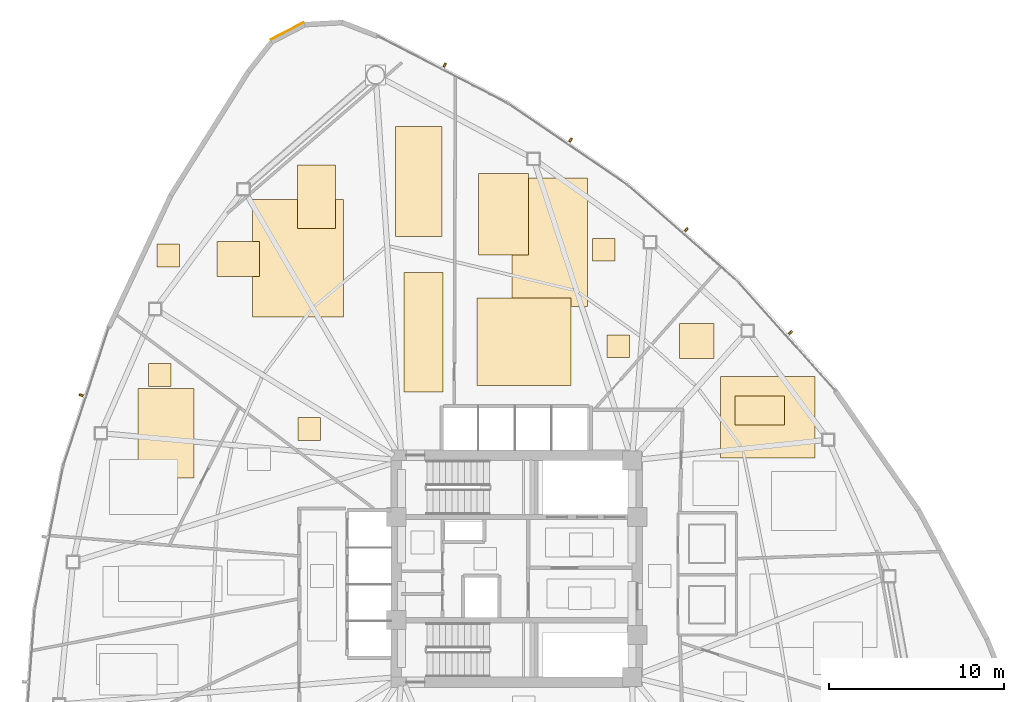
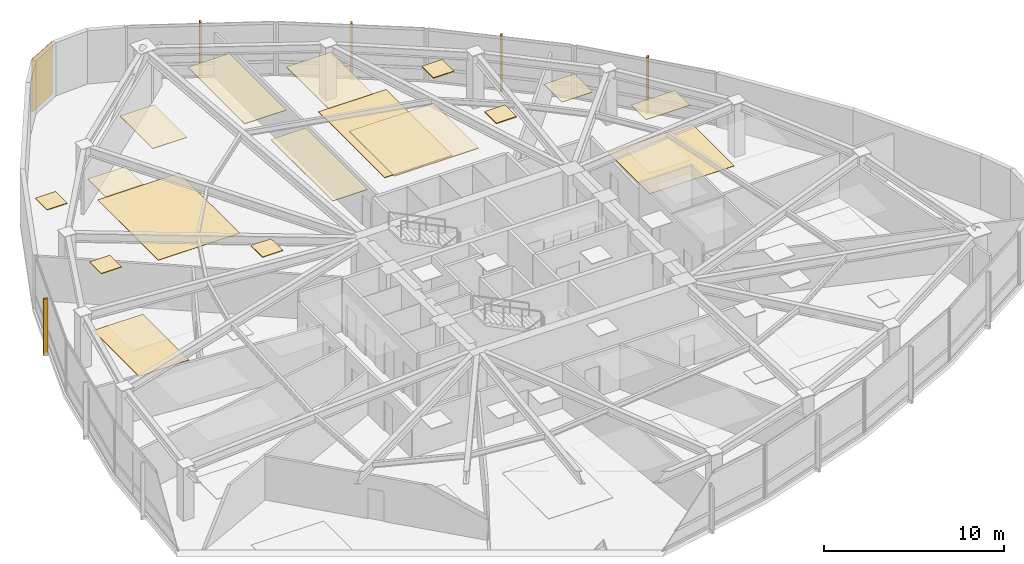
# One storey, part 17 of 17: 18 coverings, 5 shading devices.
"""IFC4 building model written with IfcOpenShell, lengths in metres."""

import ifcopenshell
import ifcopenshell.guid

model = None  # the IFC model being written
_history = None  # IfcOwnerHistory: only IFC2X3 demands one
_inside = {}  # id of a spatial element -> (the spatial element, [elements in it])
_under = {}  # id of a project, library or spatial element -> (it, [spatial elements below it])
_declared = {}  # id of a project -> (the project, [libraries it declares])
_typed = {}  # id of a type object -> (the type object, [elements of that type])
_made_of = {}  # id of a material, layer set ... -> (it, [elements and type objects made of it])


def new_model(schema):
    """Start an empty IFC model of exactly this schema.

    Asked for "IFC4X3", IfcOpenShell would pick the latest addendum, in which some entities
    have other attributes; the version numbers below select the first issue.
    IFC2X3 requires an IfcOwnerHistory on every rooted entity: one is made here for all.
    """
    global model, _history
    if schema == "IFC4X3":
        model = ifcopenshell.file(schema_version=(4, 3, 0, 0))
    else:
        model = ifcopenshell.file(schema=schema)
    _inside.clear()
    _under.clear()
    _declared.clear()
    _typed.clear()
    _made_of.clear()
    _history = None
    if model.schema == "IFC2X3":
        org = make("IfcOrganization", Name="unknown")
        user = make(
            "IfcPersonAndOrganization",
            ThePerson=make("IfcPerson", FamilyName="unknown"),
            TheOrganization=org,
        )
        app = make(
            "IfcApplication",
            ApplicationDeveloper=org,
            Version="unknown",
            ApplicationFullName="unknown",
            ApplicationIdentifier="unknown",
        )
        _history = make(
            "IfcOwnerHistory",
            OwningUser=user,
            OwningApplication=app,
            ChangeAction="ADDED",
            CreationDate=0,
        )
    return model


def make(cls, **values):
    """One entity of the class cls with the attributes given. An attribute that is None is left unset."""
    return model.create_entity(
        cls, **{name: value for name, value in values.items() if value is not None}
    )


def rooted(cls, **values):
    """An entity with a GlobalId (a new one), such as an element, a storey or a relation."""
    return make(cls, GlobalId=ifcopenshell.guid.new(), OwnerHistory=_history, **values)


def si_unit(unit_type, name, prefix=None):
    """IfcSIUnit, for example si_unit("LENGTHUNIT", "METRE", prefix="MILLI")."""
    return make("IfcSIUnit", UnitType=unit_type, Prefix=prefix, Name=name)


def assignment(units):
    """IfcUnitAssignment: the units of a project."""
    return None if units is None else make("IfcUnitAssignment", Units=units)


def point(xyz):
    """IfcCartesianPoint."""
    return None if xyz is None else make("IfcCartesianPoint", Coordinates=xyz)


def direction(xyz):
    """IfcDirection."""
    return None if xyz is None else make("IfcDirection", DirectionRatios=xyz)


def frame(location, z_axis=None, x_axis=None):
    """IfcAxis2Placement3D, a coordinate frame: its origin and axes. An axis left out is left unset."""
    return make(
        "IfcAxis2Placement3D",
        Location=point(location),
        Axis=direction(z_axis),
        RefDirection=direction(x_axis),
    )


def frame_2d(location, x_axis=None):
    """IfcAxis2Placement2D, a coordinate frame in the plane: its origin and x axis."""
    return make(
        "IfcAxis2Placement2D", Location=point(location), RefDirection=direction(x_axis)
    )


def origin():
    """The frame at (0, 0, 0) with its axes left unset."""
    return frame((0.0, 0.0, 0.0))


def origin_2d():
    """The frame at (0, 0) in the plane with its x axis left unset."""
    return frame_2d((0.0, 0.0))


def place(relative_to, where):
    """IfcLocalPlacement: puts the frame where relative to a parent placement (None: the world)."""
    return make(
        "IfcLocalPlacement", PlacementRelTo=relative_to, RelativePlacement=where
    )


def context(
    kind, dimensions, precision=None, world=None, true_north=None, identifier=None
):
    """IfcGeometricRepresentationContext, for example the 3D "Model" context."""
    return make(
        "IfcGeometricRepresentationContext",
        ContextIdentifier=identifier,
        ContextType=kind,
        CoordinateSpaceDimension=dimensions,
        Precision=precision,
        WorldCoordinateSystem=world,
        TrueNorth=true_north,
    )


def subcontext(parent, identifier, kind, view, scale=None):
    """IfcGeometricRepresentationSubContext, for example "Body" below "Model"."""
    return make(
        "IfcGeometricRepresentationSubContext",
        ContextIdentifier=identifier,
        ContextType=kind,
        ParentContext=parent,
        TargetScale=scale,
        TargetView=view,
    )


def project(units=None, contexts=None):
    """IfcProject with its units and contexts."""
    return rooted(
        "IfcProject",
        Name="project",
        RepresentationContexts=contexts,
        UnitsInContext=assignment(units),
    )


def spatial(cls, under=None, at=None, **own):
    """A site, building, storey or space (cls), placed at a placement, below another one or the project."""
    s = rooted(cls, ObjectPlacement=at, **own)
    if under is not None:
        _under.setdefault(under.id(), (under, []))[1].append(s)
    return s


def polyline(points):
    """IfcPolyline through the points."""
    return make("IfcPolyline", Points=[point(p) for p in points])


def profile(cls, at=None, kind="AREA", **sizes):
    """A parametric profile (cls). Its sizes go by their IFC names, for example OverallWidth=200.0."""
    return make(cls, ProfileType=kind, Position=at, **sizes)


def rectangle(**sizes):
    """IfcRectangleProfileDef."""
    return profile("IfcRectangleProfileDef", **sizes)


def outline(outer, holes=None, kind="AREA"):
    """IfcArbitraryClosedProfileDef: a profile drawn as a closed curve; with holes, ...WithVoids."""
    if holes is None:
        return make("IfcArbitraryClosedProfileDef", ProfileType=kind, OuterCurve=outer)
    return make(
        "IfcArbitraryProfileDefWithVoids",
        ProfileType=kind,
        OuterCurve=outer,
        InnerCurves=holes,
    )


def extrude(swept, where, along, depth):
    """IfcExtrudedAreaSolid: the profile swept, set in the frame where, extruded along a direction by depth."""
    return make(
        "IfcExtrudedAreaSolid",
        SweptArea=swept,
        Position=where,
        ExtrudedDirection=direction(along),
        Depth=depth,
    )


def shape(context_of_items, identifier, shape_type, items):
    """IfcShapeRepresentation: the items that make up one representation, for example the "Body"."""
    return make(
        "IfcShapeRepresentation",
        ContextOfItems=context_of_items,
        RepresentationIdentifier=identifier,
        RepresentationType=shape_type,
        Items=items,
    )


def source(mapping_origin, context_of_items, identifier, shape_type, items):
    """IfcRepresentationMap: a shape defined once, which mapped items show again and again."""
    return make(
        "IfcRepresentationMap",
        MappingOrigin=mapping_origin,
        MappedRepresentation=shape(context_of_items, identifier, shape_type, items),
    )


def transform(
    local_origin,
    x_axis=None,
    y_axis=None,
    z_axis=None,
    scale=None,
    scale2=None,
    scale3=None,
    uniform=True,
):
    """IfcCartesianTransformationOperator3D, or its non-uniform kind. x_axis, y_axis, z_axis: its Axis1, 2, 3."""
    if uniform:
        return make(
            "IfcCartesianTransformationOperator3D",
            Axis1=direction(x_axis),
            Axis2=direction(y_axis),
            LocalOrigin=point(local_origin),
            Scale=scale,
            Axis3=direction(z_axis),
        )
    return make(
        "IfcCartesianTransformationOperator3DnonUniform",
        Axis1=direction(x_axis),
        Axis2=direction(y_axis),
        LocalOrigin=point(local_origin),
        Scale=scale,
        Axis3=direction(z_axis),
        Scale2=scale2,
        Scale3=scale3,
    )


def mapped(mapping_source, mapping_target):
    """IfcMappedItem: shows the shape of a source again, moved by a transform."""
    return make(
        "IfcMappedItem", MappingSource=mapping_source, MappingTarget=mapping_target
    )


def material(Name=None, Category=None):
    """IfcMaterial."""
    return make("IfcMaterial", Name=Name, Category=Category)


def layer(
    of_material, thickness, ventilated=None, Name=None, Category=None, Priority=None
):
    """IfcMaterialLayer: one layer of a wall or slab, of a material (None: an air gap)."""
    return make(
        "IfcMaterialLayer",
        Material=of_material,
        LayerThickness=thickness,
        IsVentilated=ventilated,
        Name=Name,
        Category=Category,
        Priority=Priority,
    )


def layer_set(layers, Name=None):
    """IfcMaterialLayerSet."""
    return make("IfcMaterialLayerSet", MaterialLayers=layers, LayerSetName=Name)


def made_of(thing, what):
    """Note that an element or type object is made of a material, layer set ...; save() writes the relation."""
    if what is not None:
        _made_of.setdefault(what.id(), (what, []))[1].append(thing)
    return thing


def type_object(cls, material=None, **own):
    """A type object (cls), such as IfcWallType, which elements share."""
    return made_of(rooted(cls, **own), material)


def type_shapes(of_type, sources):
    """Give a type object the sources (RepresentationMaps) that its elements show as mapped items."""
    of_type.RepresentationMaps = sources


def element(
    cls,
    number,
    at=None,
    inside=None,
    cuts=None,
    type_object=None,
    material=None,
    context=None,
    identifier="Body",
    shape_type=None,
    held_by="IfcProductDefinitionShape",
    body=None,
    shapes=None,
    **own,
):
    """One element of the class cls, such as IfcWall. Its Tag is "e" and its number.

    at: its placement. inside: the storey or other place that contains it. cuts: it is an
    opening in that element (IfcRelVoidsElement). A single representation is given by context,
    identifier, shape_type and body (its items); several are given by shapes. held_by: the class
    of the entity that holds the representations. save() writes the other relations.
    """
    e = rooted(cls, Tag="e%d" % number, ObjectPlacement=at, **own)
    if body is not None:
        shapes = [shape(context, identifier, shape_type, body)]
    if shapes is not None:
        e.Representation = make(held_by, Representations=shapes)
    if inside is not None:
        _inside.setdefault(inside.id(), (inside, []))[1].append(e)
    if cuts is not None:
        rooted(
            "IfcRelVoidsElement", RelatingBuildingElement=cuts, RelatedOpeningElement=e
        )
    if type_object is not None:
        _typed.setdefault(type_object.id(), (type_object, []))[1].append(e)
    return made_of(e, material)


def aggregate(whole, parts):
    """IfcRelAggregates: a whole, such as a stair, and the parts it consists of."""
    return rooted("IfcRelAggregates", RelatingObject=whole, RelatedObjects=parts)


def save(model, path):
    """Write the relations noted so far, then the file.

    IfcRelAggregates (storeys below a building ...), IfcRelContainedInSpatialStructure (elements
    in a storey), IfcRelDefinesByType, IfcRelAssociatesMaterial and IfcRelDeclares: one each for
    every whole, place, type object, material and project.
    """
    for whole, parts in _under.values():
        aggregate(whole, parts)
    for where, things in _inside.values():
        rooted(
            "IfcRelContainedInSpatialStructure",
            RelatedElements=things,
            RelatingStructure=where,
        )
    for kind, things in _typed.values():
        rooted("IfcRelDefinesByType", RelatedObjects=things, RelatingType=kind)
    for what, things in _made_of.values():
        rooted("IfcRelAssociatesMaterial", RelatedObjects=things, RelatingMaterial=what)
    for by, libraries in _declared.values():
        rooted("IfcRelDeclares", RelatingContext=by, RelatedDefinitions=libraries)
    model.write(path)


model = new_model("IFC4")

# Units and contexts
model_context = context("Model", 3, precision=1e-05, world=origin(), true_north=direction((0.0, 1.0)))
body_context = subcontext(model_context, "Body", "Model", "MODEL_VIEW")
ifc_project = project(units=[si_unit("LENGTHUNIT", "METRE"), si_unit("AREAUNIT", "SQUARE_METRE"), si_unit("VOLUMEUNIT", "CUBIC_METRE"), si_unit("PLANEANGLEUNIT", "RADIAN"), si_unit("MASSUNIT", "GRAM", prefix="KILO")], contexts=[model_context])

# Site, building, storey
site_placement = place(None, origin())
site = spatial("IfcSite", under=ifc_project, at=site_placement, CompositionType="ELEMENT")
building_placement = place(site_placement, origin())
building = spatial("IfcBuilding", under=site, at=building_placement, Name="Tavelor Broadcast Tower", CompositionType="ELEMENT")
storey_placement = place(building_placement, frame((0.0, 0.0, 90.0)))
storey = spatial("IfcBuildingStorey", under=building, at=storey_placement, Name="L21", CompositionType="ELEMENT", Elevation=90.0)

# Coverings
ifc_material_1 = material(Name="Copper-Bronze Anodized Aluminium", Category="aluminium")
ifc_layer_1 = layer(ifc_material_1, 0.050048828125)
ifc_layer_set_1 = layer_set([ifc_layer_1], Name="Copper-Bronze Anodized Aluminium")
covering_type_1 = type_object("IfcCoveringType", Name="Champagne-Bronze Corner Pier Metal Cladding 50 mm", PredefinedType="CLADDING", material=ifc_layer_set_1)
covering_1_placement = place(storey_placement, frame((36.8603515625, 75.79248046875, 0.02001953125), z_axis=(0.0, 0.0, 1.0), x_axis=(-0.887413447059, -0.460974374535, 0.0)))
element("IfcCovering", 1, at=covering_1_placement, inside=storey, type_object=covering_type_1, Name="L21 Champagne-Bronze Corner Cladding 03", PredefinedType="CLADDING", context=body_context, shape_type="SweptSolid", body=[
    extrude(rectangle(XDim=2.101806640625, YDim=0.050048828125, at=origin_2d()), origin(), (0.0, 0.0, 1.0), 3.56005859375),
])
ifc_material_2 = material(Name="Acoustic Nylon Carpet Tile")
ifc_layer_2 = layer(ifc_material_2, 0.02001953125)
ifc_layer_set_2 = layer_set([ifc_layer_2], Name="Acoustic Nylon Carpet Tile")
covering_type_2 = type_object("IfcCoveringType", Name="Heavy-Duty Acoustic Broadcast Carpet Tile 20 mm", PredefinedType="FLOORING", material=ifc_layer_set_2)
covering_2_placement = place(storey_placement, origin())
element("IfcCovering", 2, at=covering_2_placement, inside=storey, type_object=covering_type_2, Name="L21 Broadcast Floor Finish 0317", PredefinedType="FLOORING", context=body_context, shape_type="SweptSolid", body=[
    extrude(outline(polyline([(28.318115234375, 50.202880859375), (31.50537109375, 50.202880859375), (31.50537109375, 55.319091796875), (28.318115234375, 55.319091796875), (28.318115234375, 50.202880859375)])), origin(), (0.0, 0.0, 1.0), 0.02001953125),
])
covering_3_placement = place(storey_placement, origin())
element("IfcCovering", 3, at=covering_3_placement, inside=storey, type_object=covering_type_2, Name="L21 Broadcast Floor Finish 0318", PredefinedType="FLOORING", context=body_context, shape_type="SweptSolid", body=[
    extrude(outline(polyline([(34.863525390625, 59.40625), (40.080322265625, 59.40625), (40.080322265625, 66.133056640625), (34.863525390625, 66.133056640625), (34.863525390625, 59.40625)])), origin(), (0.0, 0.0, 1.0), 0.02001953125),
])
covering_4_placement = place(storey_placement, origin())
element("IfcCovering", 4, at=covering_4_placement, inside=storey, type_object=covering_type_2, Name="L21 Broadcast Floor Finish 0320", PredefinedType="FLOORING", context=body_context, shape_type="SweptSolid", body=[
    extrude(outline(polyline([(61.66259765625, 51.333740234375), (67.07763671875, 51.333740234375), (67.07763671875, 55.993896484375), (61.66259765625, 55.993896484375), (61.66259765625, 51.333740234375)])), origin(), (0.0, 0.0, 1.0), 0.02001953125),
])
ifc_material_3 = material(Name="Acoustic Hardwood Studio Flooring", Category="wood")
ifc_layer_3 = layer(ifc_material_3, 0.034912109375)
ifc_layer_set_3 = layer_set([ifc_layer_3], Name="Acoustic Hardwood Studio Flooring")
covering_type_3 = type_object("IfcCoveringType", Name="Isolated Studio Acoustic Elastomeric Floor Finish 35 mm", PredefinedType="FLOORING", material=ifc_layer_set_3)
covering_5_placement = place(storey_placement, origin())
element("IfcCovering", 5, at=covering_5_placement, inside=storey, type_object=covering_type_3, Name="L21 Broadcast Floor Finish 0319", PredefinedType="FLOORING", context=body_context, shape_type="SweptSolid", body=[
    extrude(outline(polyline([(49.728515625, 60.02685546875), (54.047607421875, 60.02685546875), (54.047607421875, 67.374267578125), (49.728515625, 67.374267578125), (49.728515625, 60.02685546875)])), origin(), (0.0, 0.0, 1.0), 0.034912109375),
])
ifc_material_4 = material(Name="Acoustic Perforated Timber Baffle", Category="wood")
ifc_layer_4 = layer(ifc_material_4, 0.054931640625)
ifc_layer_set_4 = layer_set([ifc_layer_4], Name="Acoustic Perforated Timber Baffle")
covering_type_4 = type_object("IfcCoveringType", Name="Micro-Perforated Acoustic Baffle Studio Ceiling 55 mm", PredefinedType="CEILING", material=ifc_layer_set_4)
covering_6_placement = place(storey_placement, frame((0.0, 0.0, 3.544921875)))
element("IfcCovering", 6, at=covering_6_placement, inside=storey, type_object=covering_type_4, Name="L21 Suspended Acoustic Ceiling 0911", PredefinedType="CEILING", context=body_context, shape_type="SweptSolid", body=[
    extrude(outline(polyline([(47.71630859375, 55.49609375), (53.118896484375, 55.49609375), (53.118896484375, 60.501708984375), (47.71630859375, 60.501708984375), (47.71630859375, 55.49609375)])), origin(), (0.0, 0.0, 1.0), 0.05517578125),
])
covering_7_placement = place(storey_placement, frame((0.0, 0.0, 3.544921875)))
element("IfcCovering", 7, at=covering_7_placement, inside=storey, type_object=covering_type_4, Name="L21 Suspended Acoustic Ceiling 0912", PredefinedType="CEILING", context=body_context, shape_type="SweptSolid", body=[
    extrude(outline(polyline([(47.81103515625, 62.962646484375), (50.664306640625, 62.962646484375), (50.664306640625, 67.62451171875), (47.81103515625, 67.62451171875), (47.81103515625, 62.962646484375)])), origin(), (0.0, 0.0, 1.0), 0.05517578125),
])
covering_8_placement = place(storey_placement, frame((0.0, 0.0, 3.544921875)))
element("IfcCovering", 8, at=covering_8_placement, inside=storey, type_object=covering_type_4, Name="L21 Suspended Acoustic Ceiling 0913", PredefinedType="CEILING", context=body_context, shape_type="SweptSolid", body=[
    extrude(outline(polyline([(55.159423828125, 57.079345703125), (56.45947265625, 57.079345703125), (56.45947265625, 58.37939453125), (55.159423828125, 58.37939453125), (55.159423828125, 57.079345703125)])), origin(), (0.0, 0.0, 1.0), 0.05517578125),
])
covering_9_placement = place(storey_placement, frame((0.0, 0.0, 3.544921875)))
element("IfcCovering", 9, at=covering_9_placement, inside=storey, type_object=covering_type_4, Name="L21 Suspended Acoustic Ceiling 0914", PredefinedType="CEILING", context=body_context, shape_type="SweptSolid", body=[
    extrude(outline(polyline([(54.34130859375, 62.618896484375), (55.641357421875, 62.618896484375), (55.641357421875, 63.918701171875), (54.34130859375, 63.918701171875), (54.34130859375, 62.618896484375)])), origin(), (0.0, 0.0, 1.0), 0.05517578125),
])
ifc_material_5 = material(Name="Acoustic Mineral Fibre Tile")
ifc_layer_5 = layer(ifc_material_5, 0.0400390625)
ifc_layer_set_5 = layer_set([ifc_layer_5], Name="Acoustic Mineral Fibre Tile")
covering_type_5 = type_object("IfcCoveringType", Name="Suspended Acoustic Mineral-Fibre Office Ceiling 40 mm", PredefinedType="CEILING", material=ifc_layer_set_5)
covering_10_placement = place(storey_placement, frame((0.0, 0.0, 3.56005859375)))
element("IfcCovering", 10, at=covering_10_placement, inside=storey, type_object=covering_type_5, Name="L21 Suspended Acoustic Ceiling 0903", PredefinedType="CEILING", context=body_context, shape_type="SweptSolid", body=[
    extrude(outline(polyline([(28.916015625, 55.443603515625), (30.216064453125, 55.443603515625), (30.216064453125, 56.74365234375), (28.916015625, 56.74365234375), (28.916015625, 55.443603515625)])), origin(), (0.0, 0.0, 1.0), 0.0400390625),
])
covering_11_placement = place(storey_placement, frame((0.0, 0.0, 3.56005859375)))
element("IfcCovering", 11, at=covering_11_placement, inside=storey, type_object=covering_type_5, Name="L21 Suspended Acoustic Ceiling 0905", PredefinedType="CEILING", context=body_context, shape_type="SweptSolid", body=[
    extrude(outline(polyline([(29.397705078125, 62.288818359375), (30.697509765625, 62.288818359375), (30.697509765625, 63.5888671875), (29.397705078125, 63.5888671875), (29.397705078125, 62.288818359375)])), origin(), (0.0, 0.0, 1.0), 0.0400390625),
])
covering_12_placement = place(storey_placement, frame((0.0, 0.0, 3.56005859375)))
element("IfcCovering", 12, at=covering_12_placement, inside=storey, type_object=covering_type_5, Name="L21 Suspended Acoustic Ceiling 0906", PredefinedType="CEILING", context=body_context, shape_type="SweptSolid", body=[
    extrude(outline(polyline([(32.840576171875, 61.742431640625), (35.267333984375, 61.742431640625), (35.267333984375, 63.742919921875), (32.840576171875, 63.742919921875), (32.840576171875, 61.742431640625)])), origin(), (0.0, 0.0, 1.0), 0.0400390625),
])
covering_13_placement = place(storey_placement, frame((0.0, 0.0, 3.56005859375)))
element("IfcCovering", 13, at=covering_13_placement, inside=storey, type_object=covering_type_5, Name="L21 Suspended Acoustic Ceiling 0907", PredefinedType="CEILING", context=body_context, shape_type="SweptSolid", body=[
    extrude(outline(polyline([(37.434326171875, 64.480224609375), (39.633056640625, 64.480224609375), (39.633056640625, 68.120361328125), (37.434326171875, 68.120361328125), (37.434326171875, 64.480224609375)])), origin(), (0.0, 0.0, 1.0), 0.0400390625),
])
covering_14_placement = place(storey_placement, frame((0.0, 0.0, 3.56005859375)))
element("IfcCovering", 14, at=covering_14_placement, inside=storey, type_object=covering_type_5, Name="L21 Suspended Acoustic Ceiling 0908", PredefinedType="CEILING", context=body_context, shape_type="SweptSolid", body=[
    extrude(outline(polyline([(43.05029296875, 64.011474609375), (45.720947265625, 64.011474609375), (45.720947265625, 70.32861328125), (43.05029296875, 70.32861328125), (43.05029296875, 64.011474609375)])), origin(), (0.0, 0.0, 1.0), 0.0400390625),
])
covering_15_placement = place(storey_placement, frame((0.0, 0.0, 3.56005859375)))
element("IfcCovering", 15, at=covering_15_placement, inside=storey, type_object=covering_type_5, Name="L21 Suspended Acoustic Ceiling 0909", PredefinedType="CEILING", context=body_context, shape_type="SweptSolid", body=[
    extrude(outline(polyline([(43.54248046875, 55.110107421875), (45.780517578125, 55.110107421875), (45.780517578125, 61.966796875), (43.54248046875, 61.966796875), (43.54248046875, 55.110107421875)])), origin(), (0.0, 0.0, 1.0), 0.0400390625),
])
covering_16_placement = place(storey_placement, frame((0.0, 0.0, 3.56005859375)))
element("IfcCovering", 16, at=covering_16_placement, inside=storey, type_object=covering_type_5, Name="L21 Suspended Acoustic Ceiling 0910", PredefinedType="CEILING", context=body_context, shape_type="SweptSolid", body=[
    extrude(outline(polyline([(37.4619140625, 52.352294921875), (38.76171875, 52.352294921875), (38.76171875, 53.652099609375), (37.4619140625, 53.652099609375), (37.4619140625, 52.352294921875)])), origin(), (0.0, 0.0, 1.0), 0.0400390625),
])
covering_17_placement = place(storey_placement, frame((0.0, 0.0, 3.56005859375)))
element("IfcCovering", 17, at=covering_17_placement, inside=storey, type_object=covering_type_5, Name="L21 Suspended Acoustic Ceiling 0915", PredefinedType="CEILING", context=body_context, shape_type="SweptSolid", body=[
    extrude(outline(polyline([(59.326171875, 57.02490234375), (61.303955078125, 57.02490234375), (61.303955078125, 59.03125), (59.326171875, 59.03125), (59.326171875, 57.02490234375)])), origin(), (0.0, 0.0, 1.0), 0.0400390625),
])
covering_18_placement = place(storey_placement, frame((0.0, 0.0, 3.56005859375)))
element("IfcCovering", 18, at=covering_18_placement, inside=storey, type_object=covering_type_5, Name="L21 Suspended Acoustic Ceiling 0918", PredefinedType="CEILING", context=body_context, shape_type="SweptSolid", body=[
    extrude(outline(polyline([(62.515380859375, 53.22216796875), (65.340087890625, 53.22216796875), (65.340087890625, 54.876220703125), (62.515380859375, 54.876220703125), (62.515380859375, 53.22216796875)])), origin(), (0.0, 0.0, 1.0), 0.0400390625),
])

# Shading devices
ifc_material_6 = material(Name="Kiln-Fired Glazed Terracotta", Category="masonry")
shading_device_type = type_object("IfcShadingDeviceType", Name="Extruded Terracotta Baguette Sun-Screen 110x240", PredefinedType="JALOUSIE", material=ifc_material_6)
shared_shape = source(origin(), body_context, "Body", "SweptSolid", [
    extrude(rectangle(XDim=0.110107421875, YDim=0.239990234375, at=origin_2d()), origin(), (0.0, 0.0, 1.0), 3.840087890625),
])
type_shapes(shading_device_type, [shared_shape])
for number, where, z_axis, x_axis, name in (
    (19, (25.0517578125, 54.934814453125, -0.26025390625), (0.0, 0.0, 1.0), (-0.312003296688, -0.950081019101, 0.0), "L21 Terracotta Baguette Fin 205"),
    (20, (65.677978515625, 58.5205078125, -0.26025390625), (0.0, 0.0, 1.0), (-0.666922709185, 0.745126901925, 0.0), "L21 Terracotta Baguette Fin 213"),
    (21, (59.718017578125, 64.41845703125, -0.26025390625), (0.0, 0.0, 1.0), (-0.752184937064, 0.658952062334, 0.0), "L21 Terracotta Baguette Fin 214"),
    (22, (53.088134765625, 69.5517578125, -0.26025390625), (0.0, 0.0, 1.0), (-0.826393242792, 0.563093427655, 0.0), "L21 Terracotta Baguette Fin 215"),
    (23, (45.8857421875, 73.84521484375, -0.26025390625), (0.0, 0.0, 1.0), (-0.888457079624, 0.458959712465, 0.0), "L21 Terracotta Baguette Fin 216"),
):
    element("IfcShadingDevice", number, at=place(storey_placement, frame(where, z_axis=z_axis, x_axis=x_axis)), inside=storey, type_object=shading_device_type, Name=name, PredefinedType="JALOUSIE", context=body_context, shape_type="MappedRepresentation", body=[
        mapped(shared_shape, transform((0.0, 0.0, 0.0), scale=1.0)),
    ])

save(model, "model.ifc")
